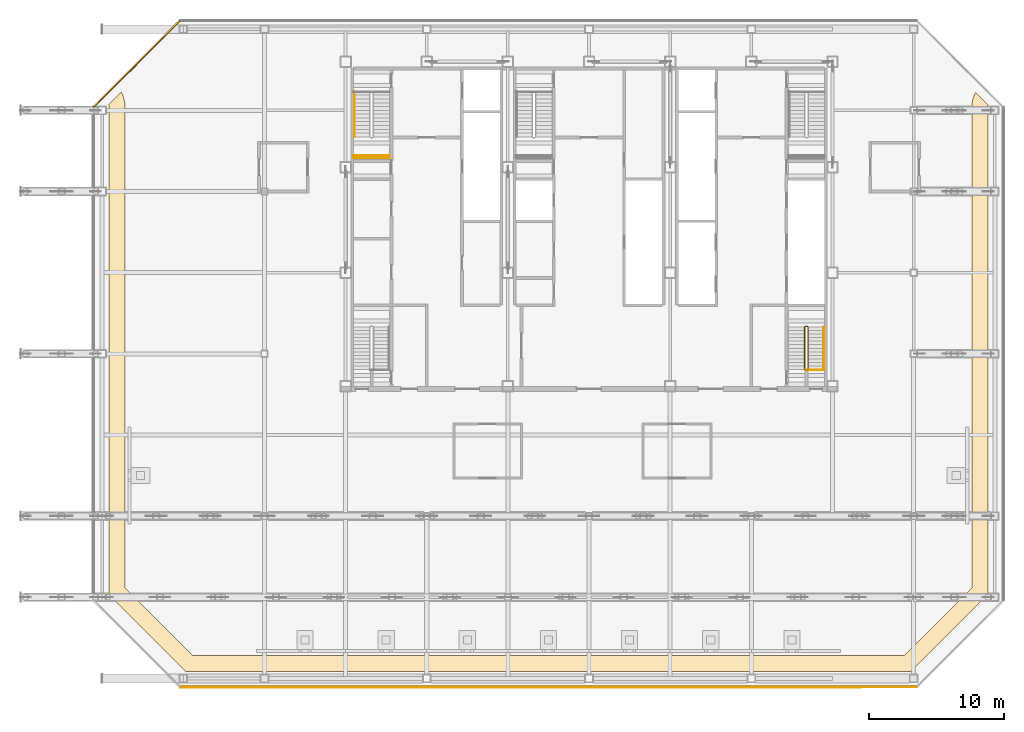
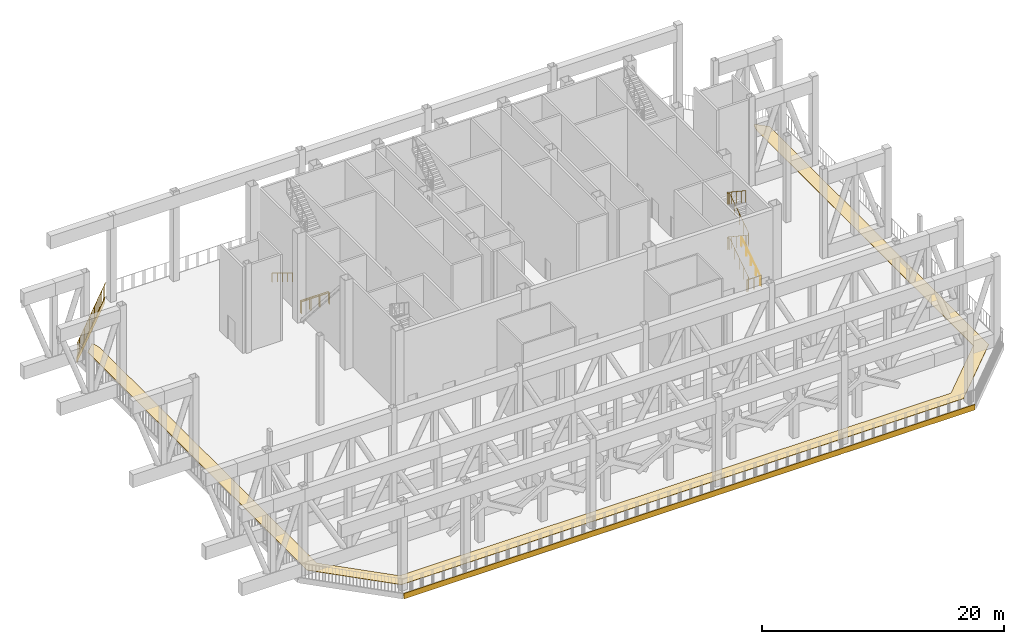
# One storey, part 18 of 22: 8 railings, 3 coverings.
"""IFC4 building model written with IfcOpenShell, lengths in metres."""

from ifc_helpers import new_model, si_unit, direction, frame, origin, origin_2d, place, context, subcontext, project, spatial, polyline, circle, outline, extrude, material, layer, layer_set, type_object, element, save


model = new_model("IFC4")

# Units and contexts
model_context = context("Model", 3, precision=1e-05, world=origin(), true_north=direction((0.0, 1.0)))
body_context = subcontext(model_context, "Body", "Model", "MODEL_VIEW")
ifc_project = project(units=[si_unit("LENGTHUNIT", "METRE"), si_unit("AREAUNIT", "SQUARE_METRE"), si_unit("VOLUMEUNIT", "CUBIC_METRE"), si_unit("PLANEANGLEUNIT", "RADIAN"), si_unit("MASSUNIT", "GRAM", prefix="KILO")], contexts=[model_context])

# Site, building, storey
site_placement = place(None, origin())
site = spatial("IfcSite", under=ifc_project, at=site_placement, CompositionType="ELEMENT")
building_placement = place(site_placement, origin())
building = spatial("IfcBuilding", under=site, at=building_placement, Name="Sorahane Residences", CompositionType="ELEMENT")
storey_placement = place(building_placement, frame((0.0, 0.0, 281.800048828125)))
storey = spatial("IfcBuildingStorey", under=building, at=storey_placement, Name="L67", CompositionType="ELEMENT", Elevation=281.800048828125)

# Coverings
ifc_material_1 = material(Name="Black painted steel grating", Category="steel")
ifc_layer_1 = layer(ifc_material_1, 0.030029296875)
ifc_layer_set_1 = layer_set([ifc_layer_1], Name="Maintenance walkway grating black steel")
covering_type_1 = type_object("IfcCoveringType", Name="Maintenance walkway grating black steel", PredefinedType="FLOORING", material=ifc_layer_set_1)
covering_1_placement = place(storey_placement, origin())
element("IfcCovering", 1, at=covering_1_placement, inside=storey, type_object=covering_type_1, Name="Maintenance walkway L67.1", PredefinedType="FLOORING", context=body_context, shape_type="SweptSolid", body=[
    extrude(outline(polyline([(52.300048828125, 6.7041015625), (52.300048828125, 42.24853515625), (52.31103515625, 42.47412109375), (52.34423828125, 42.697265625), (52.39892578125, 42.916259765625), (52.47509765625, 43.128662109375), (52.571533203125, 43.332763671875), (52.580810546875, 43.348388671875), (53.513916015625, 42.415283203125), (53.50537109375, 42.356201171875), (53.5, 42.24853515625), (53.5, 6.20703125), (47.79296875, 0.5), (-5.79296875, 0.5), (-11.5, 6.20703125), (-11.5, 42.24853515625), (-11.50537109375, 42.356201171875), (-11.513916015625, 42.415283203125), (-10.580810546875, 43.348388671875), (-10.571533203125, 43.332763671875), (-10.47509765625, 43.128662109375), (-10.39892578125, 42.916259765625), (-10.34423828125, 42.697265625), (-10.31103515625, 42.47412109375), (-10.300048828125, 42.24853515625), (-10.300048828125, 6.7041015625), (-5.2958984375, 1.699951171875), (47.2958984375, 1.699951171875), (52.300048828125, 6.7041015625)])), origin(), (0.0, 0.0, 1.0), 0.030029296875),
])
ifc_material_2 = material(Name="White painted aluminium cladding", Category="aluminium")
ifc_layer_2 = layer(ifc_material_2, 0.06005859375)
ifc_layer_set_2 = layer_set([ifc_layer_2], Name="Slab edge fascia band white painted aluminium 550")
covering_type_2 = type_object("IfcCoveringType", Name="Slab edge fascia band white painted aluminium 550", PredefinedType="CLADDING", material=ifc_layer_set_2)
covering_2_placement = place(storey_placement, frame((-6.228515625, -0.60009765625, -0.275146484375), z_axis=(1.0, 0.0, 0.0), x_axis=(0.0, 1.0, 0.0)))
element("IfcCovering", 2, at=covering_2_placement, inside=storey, type_object=covering_type_2, Name="Slab edge fascia white L67 S1", PredefinedType="CLADDING", context=body_context, shape_type="SweptSolid", body=[
    extrude(outline(polyline([(-0.02001953125, 0.27490234375), (-0.080078125, 0.27490234375), (-0.080078125, -0.27490234375), (-0.02001953125, -0.27490234375), (-0.02001953125, 0.27490234375)])), origin(), (0.0, 0.0, 1.0), 54.45703125),
])
covering_3_placement = place(storey_placement, frame((-6.2626953125, 48.5859375, -0.275146484375), z_axis=(-0.707106781187, -0.707106781187, 0.0), x_axis=(0.707106781187, -0.707106781187, 0.0)))
element("IfcCovering", 3, at=covering_3_placement, inside=storey, type_object=covering_type_2, Name="Slab edge fascia white L67 NW1", PredefinedType="CLADDING", context=body_context, shape_type="SweptSolid", body=[
    extrude(outline(polyline([(-0.02001953125, 0.27490234375), (-0.080078125, 0.27490234375), (-0.080078125, -0.27490234375), (-0.02001953125, -0.27490234375), (-0.02001953125, 0.27490234375)])), origin(), (0.0, 0.0, 1.0), 8.9423828125),
])

# Railings
ifc_material_3 = material(Name="Black powder-coated steel", Category="steel")
railing_type_1 = type_object("IfcRailingType", Name="Slot edge guard black steel bars 1460", PredefinedType="GUARDRAIL", material=ifc_material_3)
railing_1_placement = place(storey_placement, frame((-6.24853515625, 48.60009765625, 0.0)))
element("IfcRailing", 4, at=railing_1_placement, inside=storey, type_object=railing_type_1, Name="Slot edge guard L67.6", PredefinedType="GUARDRAIL", context=body_context, shape_type="SweptSolid", body=[
    extrude(circle(Radius=0.030029296875, at=origin_2d()), frame((0.0, 0.0, 1.429931640625), z_axis=(-0.707106781187, -0.707106781187, 0.0), x_axis=(0.707106781187, -0.707106781187, 0.0)), (0.0, 0.0, 1.0), 8.982421875),
    extrude(circle(Radius=0.0068359375, at=origin_2d()), origin(), (0.0, 0.0, 1.0), 1.39990234375),
    extrude(circle(Radius=0.0068359375, at=origin_2d()), frame((-0.070556640625, -0.070556640625, 0.0)), (0.0, 0.0, 1.0), 1.39990234375),
    extrude(circle(Radius=0.0068359375, at=origin_2d()), frame((-0.14111328125, -0.14111328125, 0.0)), (0.0, 0.0, 1.0), 1.39990234375),
    extrude(circle(Radius=0.0068359375, at=origin_2d()), frame((-0.211669921875, -0.211669921875, 0.0)), (0.0, 0.0, 1.0), 1.39990234375),
    extrude(circle(Radius=0.0068359375, at=origin_2d()), frame((-0.2822265625, -0.2822265625, 0.0)), (0.0, 0.0, 1.0), 1.39990234375),
    extrude(circle(Radius=0.0068359375, at=origin_2d()), frame((-0.352783203125, -0.352783203125, 0.0)), (0.0, 0.0, 1.0), 1.39990234375),
    extrude(circle(Radius=0.0068359375, at=origin_2d()), frame((-0.42333984375, -0.42333984375, 0.0)), (0.0, 0.0, 1.0), 1.39990234375),
    extrude(circle(Radius=0.0068359375, at=origin_2d()), frame((-0.493896484375, -0.493896484375, 0.0)), (0.0, 0.0, 1.0), 1.39990234375),
    extrude(circle(Radius=0.0068359375, at=origin_2d()), frame((-0.564697265625, -0.564697265625, 0.0)), (0.0, 0.0, 1.0), 1.39990234375),
    extrude(circle(Radius=0.0068359375, at=origin_2d()), frame((-0.63525390625, -0.63525390625, 0.0)), (0.0, 0.0, 1.0), 1.39990234375),
    extrude(circle(Radius=0.0068359375, at=origin_2d()), frame((-0.705810546875, -0.705810546875, 0.0)), (0.0, 0.0, 1.0), 1.39990234375),
    extrude(circle(Radius=0.0068359375, at=origin_2d()), frame((-0.7763671875, -0.7763671875, 0.0)), (0.0, 0.0, 1.0), 1.39990234375),
    extrude(circle(Radius=0.0068359375, at=origin_2d()), frame((-0.846923828125, -0.846923828125, 0.0)), (0.0, 0.0, 1.0), 1.39990234375),
    extrude(circle(Radius=0.0068359375, at=origin_2d()), frame((-0.91748046875, -0.91748046875, 0.0)), (0.0, 0.0, 1.0), 1.39990234375),
    extrude(circle(Radius=0.0068359375, at=origin_2d()), frame((-0.988037109375, -0.988037109375, 0.0)), (0.0, 0.0, 1.0), 1.39990234375),
    extrude(circle(Radius=0.0068359375, at=origin_2d()), frame((-1.05859375, -1.05859375, 0.0)), (0.0, 0.0, 1.0), 1.39990234375),
    extrude(circle(Radius=0.0068359375, at=origin_2d()), frame((-1.129150390625, -1.129150390625, 0.0)), (0.0, 0.0, 1.0), 1.39990234375),
    extrude(circle(Radius=0.0068359375, at=origin_2d()), frame((-1.19970703125, -1.19970703125, 0.0)), (0.0, 0.0, 1.0), 1.39990234375),
    extrude(circle(Radius=0.0068359375, at=origin_2d()), frame((-1.270263671875, -1.270263671875, 0.0)), (0.0, 0.0, 1.0), 1.39990234375),
    extrude(circle(Radius=0.0068359375, at=origin_2d()), frame((-1.3408203125, -1.3408203125, 0.0)), (0.0, 0.0, 1.0), 1.39990234375),
    extrude(circle(Radius=0.0068359375, at=origin_2d()), frame((-1.411376953125, -1.411376953125, 0.0)), (0.0, 0.0, 1.0), 1.39990234375),
    extrude(circle(Radius=0.0068359375, at=origin_2d()), frame((-1.48193359375, -1.48193359375, 0.0)), (0.0, 0.0, 1.0), 1.39990234375),
    extrude(circle(Radius=0.0068359375, at=origin_2d()), frame((-1.552490234375, -1.552490234375, 0.0)), (0.0, 0.0, 1.0), 1.39990234375),
    extrude(circle(Radius=0.0068359375, at=origin_2d()), frame((-1.623291015625, -1.623291015625, 0.0)), (0.0, 0.0, 1.0), 1.39990234375),
    extrude(circle(Radius=0.0068359375, at=origin_2d()), frame((-1.69384765625, -1.69384765625, 0.0)), (0.0, 0.0, 1.0), 1.39990234375),
    extrude(circle(Radius=0.0068359375, at=origin_2d()), frame((-1.764404296875, -1.764404296875, 0.0)), (0.0, 0.0, 1.0), 1.39990234375),
    extrude(circle(Radius=0.0068359375, at=origin_2d()), frame((-1.8349609375, -1.8349609375, 0.0)), (0.0, 0.0, 1.0), 1.39990234375),
    extrude(circle(Radius=0.0068359375, at=origin_2d()), frame((-1.905517578125, -1.905517578125, 0.0)), (0.0, 0.0, 1.0), 1.39990234375),
    extrude(circle(Radius=0.0068359375, at=origin_2d()), frame((-1.97607421875, -1.97607421875, 0.0)), (0.0, 0.0, 1.0), 1.39990234375),
    extrude(circle(Radius=0.0068359375, at=origin_2d()), frame((-2.046630859375, -2.046630859375, 0.0)), (0.0, 0.0, 1.0), 1.39990234375),
    extrude(circle(Radius=0.0068359375, at=origin_2d()), frame((-2.1171875, -2.1171875, 0.0)), (0.0, 0.0, 1.0), 1.39990234375),
    extrude(circle(Radius=0.0068359375, at=origin_2d()), frame((-2.187744140625, -2.187744140625, 0.0)), (0.0, 0.0, 1.0), 1.39990234375),
    extrude(circle(Radius=0.0068359375, at=origin_2d()), frame((-2.25830078125, -2.25830078125, 0.0)), (0.0, 0.0, 1.0), 1.39990234375),
    extrude(circle(Radius=0.0068359375, at=origin_2d()), frame((-2.328857421875, -2.328857421875, 0.0)), (0.0, 0.0, 1.0), 1.39990234375),
    extrude(circle(Radius=0.0068359375, at=origin_2d()), frame((-2.3994140625, -2.3994140625, 0.0)), (0.0, 0.0, 1.0), 1.39990234375),
    extrude(circle(Radius=0.0068359375, at=origin_2d()), frame((-2.469970703125, -2.469970703125, 0.0)), (0.0, 0.0, 1.0), 1.39990234375),
    extrude(circle(Radius=0.0068359375, at=origin_2d()), frame((-2.54052734375, -2.54052734375, 0.0)), (0.0, 0.0, 1.0), 1.39990234375),
    extrude(circle(Radius=0.0068359375, at=origin_2d()), frame((-2.611083984375, -2.611083984375, 0.0)), (0.0, 0.0, 1.0), 1.39990234375),
    extrude(circle(Radius=0.0068359375, at=origin_2d()), frame((-2.681884765625, -2.681884765625, 0.0)), (0.0, 0.0, 1.0), 1.39990234375),
    extrude(circle(Radius=0.0068359375, at=origin_2d()), frame((-2.75244140625, -2.75244140625, 0.0)), (0.0, 0.0, 1.0), 1.39990234375),
    extrude(circle(Radius=0.0068359375, at=origin_2d()), frame((-2.822998046875, -2.822998046875, 0.0)), (0.0, 0.0, 1.0), 1.39990234375),
    extrude(circle(Radius=0.0068359375, at=origin_2d()), frame((-2.8935546875, -2.8935546875, 0.0)), (0.0, 0.0, 1.0), 1.39990234375),
    extrude(circle(Radius=0.0068359375, at=origin_2d()), frame((-2.964111328125, -2.964111328125, 0.0)), (0.0, 0.0, 1.0), 1.39990234375),
    extrude(circle(Radius=0.0068359375, at=origin_2d()), frame((-3.03466796875, -3.03466796875, 0.0)), (0.0, 0.0, 1.0), 1.39990234375),
    extrude(circle(Radius=0.0068359375, at=origin_2d()), frame((-3.105224609375, -3.105224609375, 0.0)), (0.0, 0.0, 1.0), 1.39990234375),
    extrude(circle(Radius=0.0068359375, at=origin_2d()), frame((-3.17578125, -3.17578125, 0.0)), (0.0, 0.0, 1.0), 1.39990234375),
    extrude(circle(Radius=0.0068359375, at=origin_2d()), frame((-3.246337890625, -3.246337890625, 0.0)), (0.0, 0.0, 1.0), 1.39990234375),
    extrude(circle(Radius=0.0068359375, at=origin_2d()), frame((-3.31689453125, -3.31689453125, 0.0)), (0.0, 0.0, 1.0), 1.39990234375),
    extrude(circle(Radius=0.0068359375, at=origin_2d()), frame((-3.387451171875, -3.387451171875, 0.0)), (0.0, 0.0, 1.0), 1.39990234375),
    extrude(circle(Radius=0.0068359375, at=origin_2d()), frame((-3.4580078125, -3.4580078125, 0.0)), (0.0, 0.0, 1.0), 1.39990234375),
    extrude(circle(Radius=0.0068359375, at=origin_2d()), frame((-3.528564453125, -3.528564453125, 0.0)), (0.0, 0.0, 1.0), 1.39990234375),
    extrude(circle(Radius=0.0068359375, at=origin_2d()), frame((-3.59912109375, -3.59912109375, 0.0)), (0.0, 0.0, 1.0), 1.39990234375),
    extrude(circle(Radius=0.0068359375, at=origin_2d()), frame((-3.669677734375, -3.669677734375, 0.0)), (0.0, 0.0, 1.0), 1.39990234375),
    extrude(circle(Radius=0.0068359375, at=origin_2d()), frame((-3.740478515625, -3.740478515625, 0.0)), (0.0, 0.0, 1.0), 1.39990234375),
    extrude(circle(Radius=0.0068359375, at=origin_2d()), frame((-3.81103515625, -3.81103515625, 0.0)), (0.0, 0.0, 1.0), 1.39990234375),
    extrude(circle(Radius=0.0068359375, at=origin_2d()), frame((-3.881591796875, -3.881591796875, 0.0)), (0.0, 0.0, 1.0), 1.39990234375),
    extrude(circle(Radius=0.0068359375, at=origin_2d()), frame((-3.9521484375, -3.9521484375, 0.0)), (0.0, 0.0, 1.0), 1.39990234375),
    extrude(circle(Radius=0.0068359375, at=origin_2d()), frame((-4.022705078125, -4.022705078125, 0.0)), (0.0, 0.0, 1.0), 1.39990234375),
    extrude(circle(Radius=0.0068359375, at=origin_2d()), frame((-4.09326171875, -4.09326171875, 0.0)), (0.0, 0.0, 1.0), 1.39990234375),
    extrude(circle(Radius=0.0068359375, at=origin_2d()), frame((-4.163818359375, -4.163818359375, 0.0)), (0.0, 0.0, 1.0), 1.39990234375),
    extrude(circle(Radius=0.0068359375, at=origin_2d()), frame((-4.234375, -4.234375, 0.0)), (0.0, 0.0, 1.0), 1.39990234375),
    extrude(circle(Radius=0.0068359375, at=origin_2d()), frame((-4.304931640625, -4.304931640625, 0.0)), (0.0, 0.0, 1.0), 1.39990234375),
    extrude(circle(Radius=0.0068359375, at=origin_2d()), frame((-4.37548828125, -4.37548828125, 0.0)), (0.0, 0.0, 1.0), 1.39990234375),
    extrude(circle(Radius=0.0068359375, at=origin_2d()), frame((-4.446044921875, -4.446044921875, 0.0)), (0.0, 0.0, 1.0), 1.39990234375),
    extrude(circle(Radius=0.0068359375, at=origin_2d()), frame((-4.5166015625, -4.5166015625, 0.0)), (0.0, 0.0, 1.0), 1.39990234375),
    extrude(circle(Radius=0.0068359375, at=origin_2d()), frame((-4.587158203125, -4.587158203125, 0.0)), (0.0, 0.0, 1.0), 1.39990234375),
    extrude(circle(Radius=0.0068359375, at=origin_2d()), frame((-4.65771484375, -4.65771484375, 0.0)), (0.0, 0.0, 1.0), 1.39990234375),
    extrude(circle(Radius=0.0068359375, at=origin_2d()), frame((-4.728271484375, -4.728271484375, 0.0)), (0.0, 0.0, 1.0), 1.39990234375),
    extrude(circle(Radius=0.0068359375, at=origin_2d()), frame((-4.799072265625, -4.799072265625, 0.0)), (0.0, 0.0, 1.0), 1.39990234375),
    extrude(circle(Radius=0.0068359375, at=origin_2d()), frame((-4.86962890625, -4.86962890625, 0.0)), (0.0, 0.0, 1.0), 1.39990234375),
    extrude(circle(Radius=0.0068359375, at=origin_2d()), frame((-4.940185546875, -4.940185546875, 0.0)), (0.0, 0.0, 1.0), 1.39990234375),
    extrude(circle(Radius=0.0068359375, at=origin_2d()), frame((-5.0107421875, -5.0107421875, 0.0)), (0.0, 0.0, 1.0), 1.39990234375),
    extrude(circle(Radius=0.0068359375, at=origin_2d()), frame((-5.081298828125, -5.081298828125, 0.0)), (0.0, 0.0, 1.0), 1.39990234375),
    extrude(circle(Radius=0.0068359375, at=origin_2d()), frame((-5.15185546875, -5.15185546875, 0.0)), (0.0, 0.0, 1.0), 1.39990234375),
    extrude(circle(Radius=0.0068359375, at=origin_2d()), frame((-5.222412109375, -5.222412109375, 0.0)), (0.0, 0.0, 1.0), 1.39990234375),
    extrude(circle(Radius=0.0068359375, at=origin_2d()), frame((-5.29296875, -5.29296875, 0.0)), (0.0, 0.0, 1.0), 1.39990234375),
    extrude(circle(Radius=0.0068359375, at=origin_2d()), frame((-5.363525390625, -5.363525390625, 0.0)), (0.0, 0.0, 1.0), 1.39990234375),
    extrude(circle(Radius=0.0068359375, at=origin_2d()), frame((-5.43408203125, -5.43408203125, 0.0)), (0.0, 0.0, 1.0), 1.39990234375),
    extrude(circle(Radius=0.0068359375, at=origin_2d()), frame((-5.504638671875, -5.504638671875, 0.0)), (0.0, 0.0, 1.0), 1.39990234375),
    extrude(circle(Radius=0.0068359375, at=origin_2d()), frame((-5.5751953125, -5.5751953125, 0.0)), (0.0, 0.0, 1.0), 1.39990234375),
    extrude(circle(Radius=0.0068359375, at=origin_2d()), frame((-5.645751953125, -5.645751953125, 0.0)), (0.0, 0.0, 1.0), 1.39990234375),
    extrude(circle(Radius=0.0068359375, at=origin_2d()), frame((-5.71630859375, -5.71630859375, 0.0)), (0.0, 0.0, 1.0), 1.39990234375),
    extrude(circle(Radius=0.0068359375, at=origin_2d()), frame((-5.786865234375, -5.786865234375, 0.0)), (0.0, 0.0, 1.0), 1.39990234375),
    extrude(circle(Radius=0.0068359375, at=origin_2d()), frame((-5.857666015625, -5.857666015625, 0.0)), (0.0, 0.0, 1.0), 1.39990234375),
    extrude(circle(Radius=0.0068359375, at=origin_2d()), frame((-5.92822265625, -5.92822265625, 0.0)), (0.0, 0.0, 1.0), 1.39990234375),
    extrude(circle(Radius=0.0068359375, at=origin_2d()), frame((-5.998779296875, -5.998779296875, 0.0)), (0.0, 0.0, 1.0), 1.39990234375),
    extrude(circle(Radius=0.0068359375, at=origin_2d()), frame((-6.0693359375, -6.0693359375, 0.0)), (0.0, 0.0, 1.0), 1.39990234375),
    extrude(circle(Radius=0.0068359375, at=origin_2d()), frame((-6.139892578125, -6.139892578125, 0.0)), (0.0, 0.0, 1.0), 1.39990234375),
    extrude(circle(Radius=0.0068359375, at=origin_2d()), frame((-6.21044921875, -6.21044921875, 0.0)), (0.0, 0.0, 1.0), 1.39990234375),
    extrude(circle(Radius=0.0068359375, at=origin_2d()), frame((-6.281005859375, -6.281005859375, 0.0)), (0.0, 0.0, 1.0), 1.39990234375),
    extrude(circle(Radius=0.0068359375, at=origin_2d()), frame((-6.3515625, -6.3515625, 0.0)), (0.0, 0.0, 1.0), 1.39990234375),
])
ifc_material_4 = material(Name="Steel Q355B", Category="steel")
railing_type_2 = type_object("IfcRailingType", Name="Stair guard 1200 Steel Q355B", PredefinedType="GUARDRAIL", material=ifc_material_4)
railing_2_placement = place(storey_placement, frame((9.25, 38.47509765625, 0.0)))
element("IfcRailing", 5, at=railing_2_placement, inside=storey, type_object=railing_type_2, Name="L67 S1 top well guard 1", PredefinedType="GUARDRAIL", context=body_context, shape_type="SweptSolid", body=[
    extrude(circle(Radius=0.02392578125, at=origin_2d()), frame((0.0, 0.0, 1.17578125), z_axis=(-1.0, 0.0, 0.0), x_axis=(0.0, -1.0, 0.0)), (0.0, 0.0, 1.0), 2.64990234375),
    extrude(circle(Radius=0.02099609375, at=origin_2d()), origin(), (0.0, 0.0, 1.0), 1.15185546875),
    extrude(circle(Radius=0.02099609375, at=origin_2d()), frame((-0.88330078125, 0.0, 0.0)), (0.0, 0.0, 1.0), 1.15185546875),
    extrude(circle(Radius=0.02099609375, at=origin_2d()), frame((-1.7666015625, 0.0, 0.0)), (0.0, 0.0, 1.0), 1.15185546875),
    extrude(circle(Radius=0.02099609375, at=origin_2d()), frame((-2.64990234375, 0.0, 0.0)), (0.0, 0.0, 1.0), 1.15185546875),
])
railing_3_placement = place(storey_placement, frame((6.60009765625, 38.64990234375, 0.0)))
element("IfcRailing", 6, at=railing_3_placement, inside=storey, type_object=railing_type_2, Name="L67 Stair S1 edge guard", PredefinedType="GUARDRAIL", context=body_context, shape_type="SweptSolid", body=[
    extrude(circle(Radius=0.02392578125, at=origin_2d()), frame((0.0, 0.0, 1.17578125), z_axis=(1.0, 0.0, 0.0), x_axis=(0.0, 1.0, 0.0)), (0.0, 0.0, 1.0), 2.64990234375),
    extrude(circle(Radius=0.02099609375, at=origin_2d()), origin(), (0.0, 0.0, 1.0), 1.15185546875),
    extrude(circle(Radius=0.02099609375, at=origin_2d()), frame((0.88330078125, 0.0, 0.0)), (0.0, 0.0, 1.0), 1.15185546875),
    extrude(circle(Radius=0.02099609375, at=origin_2d()), frame((1.7666015625, 0.0, 0.0)), (0.0, 0.0, 1.0), 1.15185546875),
    extrude(circle(Radius=0.02099609375, at=origin_2d()), frame((2.64990234375, 0.0, 0.0)), (0.0, 0.0, 1.0), 1.15185546875),
])
railing_4_placement = place(storey_placement, frame((41.39990234375, 22.800048828125, 0.0)))
element("IfcRailing", 7, at=railing_4_placement, inside=storey, type_object=railing_type_2, Name="L67 S5 top well guard 1", PredefinedType="GUARDRAIL", context=body_context, shape_type="SweptSolid", body=[
    extrude(circle(Radius=0.02392578125, at=origin_2d()), frame((0.0, 0.0, 1.17578125), z_axis=(-1.0, 0.0, 0.0), x_axis=(0.0, -1.0, 0.0)), (0.0, 0.0, 1.0), 1.39990234375),
    extrude(circle(Radius=0.02099609375, at=origin_2d()), origin(), (0.0, 0.0, 1.0), 1.15185546875),
    extrude(circle(Radius=0.02099609375, at=origin_2d()), frame((-0.699951171875, 0.0, 0.0)), (0.0, 0.0, 1.0), 1.15185546875),
    extrude(circle(Radius=0.02099609375, at=origin_2d()), frame((-1.39990234375, 0.0, 0.0)), (0.0, 0.0, 1.0), 1.15185546875),
])
railing_5_placement = place(storey_placement, frame((40.0, 22.800048828125, 0.0)))
element("IfcRailing", 8, at=railing_5_placement, inside=storey, type_object=railing_type_2, Name="L67 S5 stair guard 1", PredefinedType="GUARDRAIL", context=body_context, shape_type="SweptSolid", body=[
    extrude(circle(Radius=0.02392578125, at=origin_2d()), frame((0.0, 0.0, 1.17578125), z_axis=(1.0, 0.0, 0.0), x_axis=(0.0, 1.0, 0.0)), (0.0, 0.0, 1.0), 0.14990234375),
    extrude(circle(Radius=0.02392578125, at=origin_2d()), frame((0.14990234375, 0.0, 1.17578125), z_axis=(0.267629722418, 0.267629722418, 0.925607186314), x_axis=(-0.707106781187, 0.707106781187, 0.0)), (0.0, 0.0, 1.0), 0.18701171875),
    extrude(circle(Radius=0.02392578125, at=origin_2d()), frame((0.199951171875, 0.050048828125, 1.34912109375), z_axis=(0.0, 0.832420903958, 0.554143879018), x_axis=(-1.0, 0.0, 0.0)), (0.0, 0.0, 1.0), 3.748046875),
    extrude(circle(Radius=0.02392578125, at=origin_2d()), frame((0.199951171875, 3.169921875, 3.42578125), z_axis=(-0.707106781187, 0.707106781187, 0.0), x_axis=(-0.707106781187, -0.707106781187, 0.0)), (0.0, 0.0, 1.0), 0.07080078125),
    extrude(circle(Radius=0.02392578125, at=origin_2d()), frame((0.14990234375, 3.219970703125, 3.42578125), z_axis=(-1.0, 0.0, 0.0), x_axis=(0.0, -1.0, 0.0)), (0.0, 0.0, 1.0), 0.14990234375),
    extrude(circle(Radius=0.02392578125, at=origin_2d()), frame((0.0, 3.219970703125, 3.42578125), z_axis=(-0.267629722418, -0.267629722418, 0.925607186314), x_axis=(0.707106781187, -0.707106781187, 0.0)), (0.0, 0.0, 1.0), 0.18701171875),
    extrude(circle(Radius=0.02392578125, at=origin_2d()), frame((-0.050048828125, 3.169921875, 3.59912109375), z_axis=(0.0, -0.832420903958, 0.554143879018), x_axis=(1.0, 0.0, 0.0)), (0.0, 0.0, 1.0), 3.748046875),
    extrude(circle(Radius=0.02099609375, at=origin_2d()), origin(), (0.0, 0.0, 1.0), 1.15185546875),
    extrude(circle(Radius=0.02099609375, at=origin_2d()), frame((0.14990234375, 0.0, 0.0)), (0.0, 0.0, 1.0), 1.15185546875),
    extrude(circle(Radius=0.02099609375, at=origin_2d()), frame((0.199951171875, 0.050048828125, 0.173095703125)), (0.0, 0.0, 1.0), 1.15185546875),
    extrude(circle(Radius=0.02099609375, at=origin_2d()), frame((0.199951171875, 0.830078125, 0.6923828125)), (0.0, 0.0, 1.0), 1.15185546875),
    extrude(circle(Radius=0.02099609375, at=origin_2d()), frame((0.199951171875, 1.60986328125, 1.21142578125)), (0.0, 0.0, 1.0), 1.15185546875),
    extrude(circle(Radius=0.02099609375, at=origin_2d()), frame((0.199951171875, 2.389892578125, 1.730712890625)), (0.0, 0.0, 1.0), 1.15185546875),
    extrude(circle(Radius=0.02099609375, at=origin_2d()), frame((0.199951171875, 3.169921875, 2.25)), (0.0, 0.0, 1.0), 1.15185546875),
    extrude(circle(Radius=0.02099609375, at=origin_2d()), frame((0.14990234375, 3.219970703125, 2.25)), (0.0, 0.0, 1.0), 1.15185546875),
    extrude(circle(Radius=0.02099609375, at=origin_2d()), frame((0.0, 3.219970703125, 2.25)), (0.0, 0.0, 1.0), 1.15185546875),
    extrude(circle(Radius=0.02099609375, at=origin_2d()), frame((-0.050048828125, 3.169921875, 2.423095703125)), (0.0, 0.0, 1.0), 1.15185546875),
    extrude(circle(Radius=0.02099609375, at=origin_2d()), frame((-0.050048828125, 2.389892578125, 2.9423828125)), (0.0, 0.0, 1.0), 1.15185546875),
    extrude(circle(Radius=0.02099609375, at=origin_2d()), frame((-0.050048828125, 1.60986328125, 3.46142578125)), (0.0, 0.0, 1.0), 1.15185546875),
    extrude(circle(Radius=0.02099609375, at=origin_2d()), frame((-0.050048828125, 0.830078125, 3.980712890625)), (0.0, 0.0, 1.0), 1.15185546875),
    extrude(circle(Radius=0.02099609375, at=origin_2d()), frame((-0.050048828125, 0.050048828125, 4.5)), (0.0, 0.0, 1.0), 1.15185546875),
])
railing_6_placement = place(storey_placement, frame((40.0, 22.800048828125, 4.5)))
element("IfcRailing", 9, at=railing_6_placement, inside=storey, type_object=railing_type_2, Name="L67 S5 stair guard 2", PredefinedType="GUARDRAIL", context=body_context, shape_type="SweptSolid", body=[
    extrude(circle(Radius=0.02392578125, at=origin_2d()), frame((0.0, 0.0, 1.17578125), z_axis=(1.0, 0.0, 0.0), x_axis=(0.0, 1.0, 0.0)), (0.0, 0.0, 1.0), 0.14990234375),
    extrude(circle(Radius=0.02392578125, at=origin_2d()), frame((0.14990234375, 0.0, 1.17578125), z_axis=(0.267629722418, 0.267629722418, 0.925607186314), x_axis=(-0.707106781187, 0.707106781187, 0.0)), (0.0, 0.0, 1.0), 0.18701171875),
    extrude(circle(Radius=0.02392578125, at=origin_2d()), frame((0.199951171875, 0.050048828125, 1.34912109375), z_axis=(0.0, 0.832420903958, 0.554143879018), x_axis=(-1.0, 0.0, 0.0)), (0.0, 0.0, 1.0), 3.748046875),
    extrude(circle(Radius=0.02392578125, at=origin_2d()), frame((0.199951171875, 3.169921875, 3.42578125), z_axis=(-0.707106781187, 0.707106781187, 0.0), x_axis=(-0.707106781187, -0.707106781187, 0.0)), (0.0, 0.0, 1.0), 0.07080078125),
    extrude(circle(Radius=0.02392578125, at=origin_2d()), frame((0.14990234375, 3.219970703125, 3.42578125), z_axis=(-1.0, 0.0, 0.0), x_axis=(0.0, -1.0, 0.0)), (0.0, 0.0, 1.0), 0.14990234375),
    extrude(circle(Radius=0.02392578125, at=origin_2d()), frame((0.0, 3.219970703125, 3.42578125), z_axis=(-0.267629722418, -0.267629722418, 0.925607186314), x_axis=(0.707106781187, -0.707106781187, 0.0)), (0.0, 0.0, 1.0), 0.18701171875),
    extrude(circle(Radius=0.02392578125, at=origin_2d()), frame((-0.050048828125, 3.169921875, 3.59912109375), z_axis=(0.0, -0.832420903958, 0.554143879018), x_axis=(1.0, 0.0, 0.0)), (0.0, 0.0, 1.0), 3.748046875),
    extrude(circle(Radius=0.02099609375, at=origin_2d()), origin(), (0.0, 0.0, 1.0), 1.15185546875),
    extrude(circle(Radius=0.02099609375, at=origin_2d()), frame((0.14990234375, 0.0, 0.0)), (0.0, 0.0, 1.0), 1.15185546875),
    extrude(circle(Radius=0.02099609375, at=origin_2d()), frame((0.199951171875, 0.050048828125, 0.173095703125)), (0.0, 0.0, 1.0), 1.15185546875),
    extrude(circle(Radius=0.02099609375, at=origin_2d()), frame((0.199951171875, 0.830078125, 0.6923828125)), (0.0, 0.0, 1.0), 1.15185546875),
    extrude(circle(Radius=0.02099609375, at=origin_2d()), frame((0.199951171875, 1.60986328125, 1.21142578125)), (0.0, 0.0, 1.0), 1.15185546875),
    extrude(circle(Radius=0.02099609375, at=origin_2d()), frame((0.199951171875, 2.389892578125, 1.730712890625)), (0.0, 0.0, 1.0), 1.15185546875),
    extrude(circle(Radius=0.02099609375, at=origin_2d()), frame((0.199951171875, 3.169921875, 2.25)), (0.0, 0.0, 1.0), 1.15185546875),
    extrude(circle(Radius=0.02099609375, at=origin_2d()), frame((0.14990234375, 3.219970703125, 2.25)), (0.0, 0.0, 1.0), 1.15185546875),
    extrude(circle(Radius=0.02099609375, at=origin_2d()), frame((0.0, 3.219970703125, 2.25)), (0.0, 0.0, 1.0), 1.15185546875),
    extrude(circle(Radius=0.02099609375, at=origin_2d()), frame((-0.050048828125, 3.169921875, 2.423095703125)), (0.0, 0.0, 1.0), 1.15185546875),
    extrude(circle(Radius=0.02099609375, at=origin_2d()), frame((-0.050048828125, 2.389892578125, 2.9423828125)), (0.0, 0.0, 1.0), 1.15185546875),
    extrude(circle(Radius=0.02099609375, at=origin_2d()), frame((-0.050048828125, 1.60986328125, 3.46142578125)), (0.0, 0.0, 1.0), 1.15185546875),
    extrude(circle(Radius=0.02099609375, at=origin_2d()), frame((-0.050048828125, 0.830078125, 3.980712890625)), (0.0, 0.0, 1.0), 1.15185546875),
    extrude(circle(Radius=0.02099609375, at=origin_2d()), frame((-0.050048828125, 0.050048828125, 4.5)), (0.0, 0.0, 1.0), 1.15185546875),
])
ifc_material_5 = material(Name="Steel Q355B", Category="steel")
railing_type_3 = type_object("IfcRailingType", Name="Stair handrail 900 Steel Q355B", PredefinedType="HANDRAIL", material=ifc_material_5)
railing_7_placement = place(storey_placement, frame((6.64990234375, 43.39990234375, 0.173095703125)))
element("IfcRailing", 10, at=railing_7_placement, inside=storey, type_object=railing_type_3, Name="L67 S1 stair handrail 1", PredefinedType="HANDRAIL", context=body_context, shape_type="SweptSolid", body=[
    extrude(circle(Radius=0.02392578125, at=origin_2d()), frame((0.0, 0.0, 0.8759765625), z_axis=(0.0, -0.850606129759, 0.525803396734), x_axis=(1.0, 0.0, 0.0)), (0.0, 0.0, 1.0), 3.949951171875),
    extrude(circle(Radius=0.02099609375, at=origin_2d()), origin(), (0.0, 0.0, 1.0), 0.851806640625),
    extrude(circle(Radius=0.02099609375, at=origin_2d()), frame((0.0, -0.83984375, 0.519287109375)), (0.0, 0.0, 1.0), 0.851806640625),
    extrude(circle(Radius=0.02099609375, at=origin_2d()), frame((0.0, -1.679931640625, 1.03857421875)), (0.0, 0.0, 1.0), 0.851806640625),
    extrude(circle(Radius=0.02099609375, at=origin_2d()), frame((0.0, -2.52001953125, 1.5576171875)), (0.0, 0.0, 1.0), 0.851806640625),
    extrude(circle(Radius=0.02099609375, at=origin_2d()), frame((0.0, -3.35986328125, 2.076904296875)), (0.0, 0.0, 1.0), 0.851806640625),
])
railing_8_placement = place(storey_placement, frame((41.35009765625, 22.85009765625, 0.173095703125)))
element("IfcRailing", 11, at=railing_8_placement, inside=storey, type_object=railing_type_3, Name="L67 S5 stair handrail 1", PredefinedType="HANDRAIL", context=body_context, shape_type="SweptSolid", body=[
    extrude(circle(Radius=0.02392578125, at=origin_2d()), frame((0.0, 0.0, 0.8759765625), z_axis=(0.0, 0.832420903958, 0.554143879018), x_axis=(-1.0, 0.0, 0.0)), (0.0, 0.0, 1.0), 3.748046875),
    extrude(circle(Radius=0.02099609375, at=origin_2d()), origin(), (0.0, 0.0, 1.0), 0.851806640625),
    extrude(circle(Radius=0.02099609375, at=origin_2d()), frame((0.0, 0.780029296875, 0.519287109375)), (0.0, 0.0, 1.0), 0.851806640625),
    extrude(circle(Radius=0.02099609375, at=origin_2d()), frame((0.0, 1.56005859375, 1.03857421875)), (0.0, 0.0, 1.0), 0.851806640625),
    extrude(circle(Radius=0.02099609375, at=origin_2d()), frame((0.0, 2.33984375, 1.5576171875)), (0.0, 0.0, 1.0), 0.851806640625),
    extrude(circle(Radius=0.02099609375, at=origin_2d()), frame((0.0, 3.119873046875, 2.076904296875)), (0.0, 0.0, 1.0), 0.851806640625),
])

save(model, "model.ifc")
